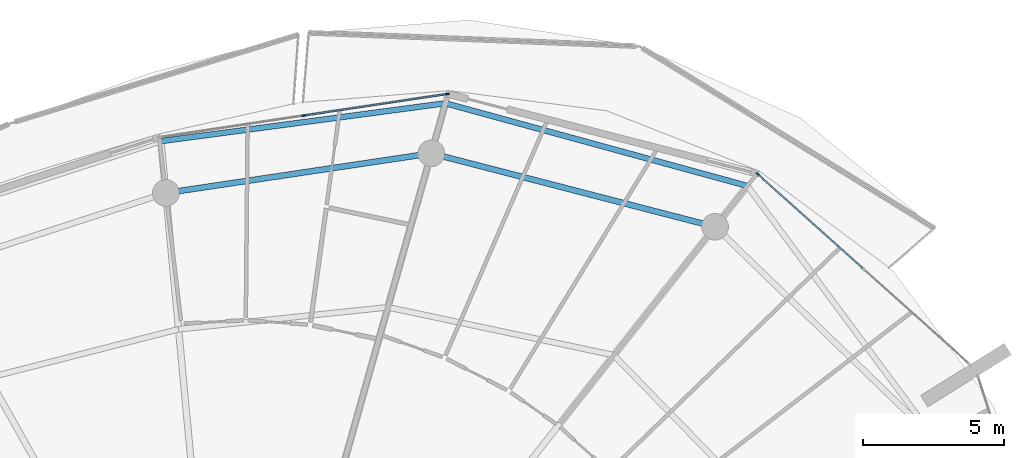
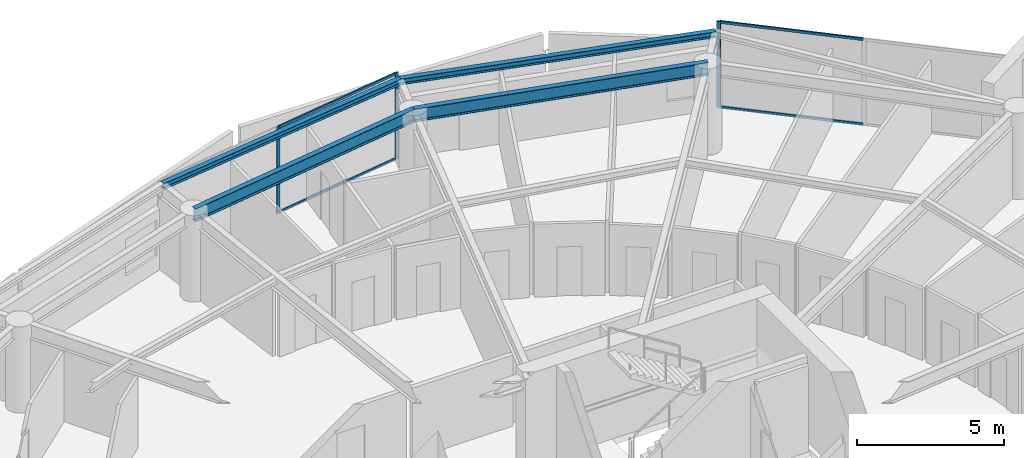
# One storey, part 15 of 30: 7 members, 4 beams, 2 elements without a shape of their own.
"""IFC4 building model written with IfcOpenShell, lengths in metres."""

from ifc_helpers import new_model, si_unit, direction, frame, origin, origin_2d, place, context, subcontext, project, spatial, rectangle, i_section, extrude, material, layer, layer_set, material_profile, profile_set, type_object, element, aggregate, save


model = new_model("IFC4")

# Units and contexts
model_context = context("Model", 3, precision=1e-05, world=origin(), true_north=direction((0.0, 1.0)))
body_context = subcontext(model_context, "Body", "Model", "MODEL_VIEW")
ifc_project = project(units=[si_unit("LENGTHUNIT", "METRE"), si_unit("AREAUNIT", "SQUARE_METRE"), si_unit("VOLUMEUNIT", "CUBIC_METRE"), si_unit("PLANEANGLEUNIT", "RADIAN"), si_unit("MASSUNIT", "GRAM", prefix="KILO")], contexts=[model_context])

# Site, building, storey
site_placement = place(None, origin())
site = spatial("IfcSite", under=ifc_project, at=site_placement, CompositionType="ELEMENT")
building_placement = place(site_placement, origin())
building = spatial("IfcBuilding", under=site, at=building_placement, Name="Kazma Halo Residences", CompositionType="ELEMENT")
storey_placement = place(building_placement, frame((0.0, 0.0, 255.949951171875)))
storey = spatial("IfcBuildingStorey", under=building, at=storey_placement, Name="L64", CompositionType="ELEMENT", Elevation=255.949951171875)

# Beams
ifc_material_1 = material(Name="Steel S355", Category="steel")
ifc_material_profile_1 = material_profile(ifc_material_1, i_section(OverallWidth=0.201904296875, OverallDepth=0.2470703125, WebThickness=0.00732421875, FlangeThickness=0.010986328125, FilletRadius=0.011962890625, at=origin_2d()), Name="W250x49.1")
ifc_profile_set_1 = profile_set([ifc_material_profile_1], Name="Steel S355")
beam_type_1 = type_object("IfcBeamType", Name="BM-BAL-CANT", PredefinedType="BEAM", material=ifc_profile_set_1)
beam_1_placement = place(storey_placement, frame((65.992431640625, 64.823486328125, 3.466552734375), z_axis=(-0.964514665976, 0.264029277006, 0.0), x_axis=(-0.264029277006, -0.964514665976, 0.0)))
element("IfcBeam", 1, at=beam_1_placement, inside=storey, type_object=beam_type_1, Name="L64 wave-balcony tie beam 02", PredefinedType="BEAM", context=body_context, shape_type="SweptSolid", body=[
    extrude(i_section(OverallWidth=0.201904296875, OverallDepth=0.2470703125, WebThickness=0.00732421875, FlangeThickness=0.010986328125, FilletRadius=0.011962890625, at=origin_2d()), origin(), (0.0, 0.0, 1.0), 11.1220703125),
])
beam_2_placement = place(storey_placement, frame((55.26513671875, 67.760009765625, 3.466552734375), z_axis=(-0.991234798397, -0.132111976922, 0.0), x_axis=(0.132111976922, -0.991234798397, 0.0)))
element("IfcBeam", 2, at=beam_2_placement, inside=storey, type_object=beam_type_1, Name="L64 wave-balcony tie beam 03", PredefinedType="BEAM", context=body_context, shape_type="SweptSolid", body=[
    extrude(i_section(OverallWidth=0.201904296875, OverallDepth=0.2470703125, WebThickness=0.00732421875, FlangeThickness=0.010986328125, FilletRadius=0.011962890625, at=origin_2d()), origin(), (0.0, 0.0, 1.0), 10.198974609375),
])
ifc_material_profile_2 = material_profile(ifc_material_1, i_section(OverallWidth=0.208984375, OverallDepth=0.532958984375, WebThickness=0.01025390625, FlangeThickness=0.015625, FilletRadius=0.01611328125, at=origin_2d()), Name="W530x92")
ifc_profile_set_2 = profile_set([ifc_material_profile_2], Name="Steel S355")
beam_type_2 = type_object("IfcBeamType", Name="BM-SPN-W530", PredefinedType="BEAM", material=ifc_profile_set_2)
beam_3_placement = place(storey_placement, frame((64.84716796875, 63.37060546875, 3.323486328125), z_axis=(-0.968126042852, 0.250463500639, 0.0), x_axis=(-0.250463500639, -0.968126042852, 0.0)))
element("IfcBeam", 3, at=beam_3_placement, inside=storey, type_object=beam_type_2, Name="L64 perimeter ring beam 02", PredefinedType="BEAM", context=body_context, shape_type="SweptSolid", body=[
    extrude(i_section(OverallWidth=0.208984375, OverallDepth=0.532958984375, WebThickness=0.01025390625, FlangeThickness=0.015625, FilletRadius=0.01611328125, at=origin_2d()), origin(), (0.0, 0.0, 1.0), 10.416259765625),
])
beam_4_placement = place(storey_placement, frame((54.762939453125, 65.9794921875, 3.323486328125), z_axis=(-0.989035441627, -0.147678350495, 0.0), x_axis=(0.147678350495, -0.989035441627, 0.0)))
element("IfcBeam", 4, at=beam_4_placement, inside=storey, type_object=beam_type_2, Name="L64 perimeter ring beam 03", PredefinedType="BEAM", context=body_context, shape_type="SweptSolid", body=[
    extrude(i_section(OverallWidth=0.208984375, OverallDepth=0.532958984375, WebThickness=0.01025390625, FlangeThickness=0.015625, FilletRadius=0.01611328125, at=origin_2d()), origin(), (0.0, 0.0, 1.0), 9.538818359375),
])

# Curtain wall, member
ifc_material_2 = material(Name="Aluminium AW-6063 T6 and Triple-Silver Low-E Glass", Category="aluminium")
ifc_layer = layer(ifc_material_2, 0.139892578125)
ifc_layer_set = layer_set([ifc_layer], Name="Aluminium AW-6063 T6 and Triple-Silver Low-E Glass")
curtain_wall_type = type_object("IfcCurtainWallType", Name="CW-SYS-5", PredefinedType="NOTDEFINED", material=ifc_layer_set)
curtain_wall_1_placement = place(storey_placement, origin())
curtain_wall_1 = element("IfcCurtainWall", 5, at=curtain_wall_1_placement, inside=storey, type_object=curtain_wall_type, Name="L64 unitised curtain wall B01", PredefinedType="NOTDEFINED")
ifc_material_3 = material(Name="Aluminium AW-6063 T6", Category="aluminium")
ifc_material_profile_3 = material_profile(ifc_material_3, rectangle(XDim=0.06005859375, YDim=0.139892578125, at=origin_2d()), Name="CWM-60x140")
ifc_profile_set_3 = profile_set([ifc_material_profile_3], Name="Aluminium AW-6063 T6")
member_type_1 = type_object("IfcMemberType", Name="CW-SYS-5-MUL", PredefinedType="MULLION", material=ifc_profile_set_3)
member_1_placement = place(storey_placement, frame((66.3603515625, 65.241455078125, 0.0), z_axis=(0.0, 0.0, 1.0), x_axis=(-0.667804826958, -0.744336424671, 0.0)))
member_1 = element("IfcMember", 6, at=member_1_placement, type_object=member_type_1, Name="CWS-5 mullion 3", PredefinedType="MULLION", context=body_context, shape_type="SweptSolid", body=[
    extrude(rectangle(XDim=0.06005859375, YDim=0.139892578125, at=origin_2d()), origin(), (0.0, 0.0, 1.0), 3.590087890625),
])

# Curtain wall, members
curtain_wall_2_placement = place(storey_placement, origin())
curtain_wall_2 = element("IfcCurtainWall", 7, at=curtain_wall_2_placement, inside=storey, type_object=curtain_wall_type, Name="L64 unitised curtain wall B03", PredefinedType="NOTDEFINED")
member_2_placement = place(storey_placement, frame((55.328857421875, 68.087158203125, 0.0), z_axis=(0.0, 0.0, 1.0), x_axis=(0.148697080374, -0.988882792998, 0.0)))
member_2 = element("IfcMember", 8, at=member_2_placement, type_object=member_type_1, Name="CWS-5 mullion 1", PredefinedType="MULLION", context=body_context, shape_type="SweptSolid", body=[
    extrude(rectangle(XDim=0.06005859375, YDim=0.139892578125, at=origin_2d()), origin(), (0.0, 0.0, 1.0), 3.590087890625),
])
member_3_placement = place(storey_placement, frame((50.2265625, 67.320068359375, 0.0), z_axis=(0.0, 0.0, 1.0), x_axis=(0.148697080374, -0.988882792998, 0.0)))
member_3 = element("IfcMember", 9, at=member_3_placement, type_object=member_type_1, Name="CWS-5 mullion 2", PredefinedType="MULLION", context=body_context, shape_type="SweptSolid", body=[
    extrude(rectangle(XDim=0.06005859375, YDim=0.139892578125, at=origin_2d()), origin(), (0.0, 0.0, 1.0), 3.590087890625),
])

# Member
ifc_material_profile_4 = material_profile(ifc_material_3, rectangle(XDim=0.06005859375, YDim=0.10498046875, at=origin_2d()), Name="CWT-60x105")
ifc_profile_set_4 = profile_set([ifc_material_profile_4], Name="Aluminium AW-6063 T6")
member_type_2 = type_object("IfcMemberType", Name="CW-SYS-5-TRN", PredefinedType="USERDEFINED", material=ifc_profile_set_4)
member_4_placement = place(storey_placement, frame((70.099609375, 61.88671875, 0.030029296875), z_axis=(-0.744350700793, 0.667788914425, 0.0), x_axis=(-0.667788914425, -0.744350700793, 0.0)))
member_4 = element("IfcMember", 10, at=member_4_placement, type_object=member_type_2, Name="CWS-5 transom 2.1", ObjectType="TRANSOM", PredefinedType="USERDEFINED", context=body_context, shape_type="SweptSolid", body=[
    extrude(rectangle(XDim=0.06005859375, YDim=0.10498046875, at=origin_2d()), origin(), (0.0, 0.0, 1.0), 4.99365234375),
])

member_5_placement = place(storey_placement, frame((70.099609375, 61.88671875, 3.56005859375), z_axis=(-0.744350700793, 0.667788914425, 0.0), x_axis=(-0.667788914425, -0.744350700793, 0.0)))
member_5 = element("IfcMember", 11, at=member_5_placement, type_object=member_type_2, Name="CWS-5 transom 2.2", ObjectType="TRANSOM", PredefinedType="USERDEFINED", context=body_context, shape_type="SweptSolid", body=[
    extrude(rectangle(XDim=0.06005859375, YDim=0.10498046875, at=origin_2d()), origin(), (0.0, 0.0, 1.0), 4.99365234375),
])

aggregate(curtain_wall_1, [member_1, member_4, member_5])

member_6_placement = place(storey_placement, frame((55.29931640625, 68.082763671875, 0.030029296875), z_axis=(-0.988883972013, -0.148689239341, 0.0), x_axis=(0.148689239341, -0.988883972013, 0.0)))
member_6 = element("IfcMember", 12, at=member_6_placement, type_object=member_type_2, Name="CWS-5 transom 1.1", ObjectType="TRANSOM", PredefinedType="USERDEFINED", context=body_context, shape_type="SweptSolid", body=[
    extrude(rectangle(XDim=0.06005859375, YDim=0.10498046875, at=origin_2d()), origin(), (0.0, 0.0, 1.0), 5.099853515625),
])

member_7_placement = place(storey_placement, frame((55.29931640625, 68.082763671875, 3.56005859375), z_axis=(-0.988883972013, -0.148689239341, 0.0), x_axis=(0.148689239341, -0.988883972013, 0.0)))
member_7 = element("IfcMember", 13, at=member_7_placement, type_object=member_type_2, Name="CWS-5 transom 1.2", ObjectType="TRANSOM", PredefinedType="USERDEFINED", context=body_context, shape_type="SweptSolid", body=[
    extrude(rectangle(XDim=0.06005859375, YDim=0.10498046875, at=origin_2d()), origin(), (0.0, 0.0, 1.0), 5.099853515625),
])

aggregate(curtain_wall_2, [member_2, member_3, member_6, member_7])

save(model, "model.ifc")
